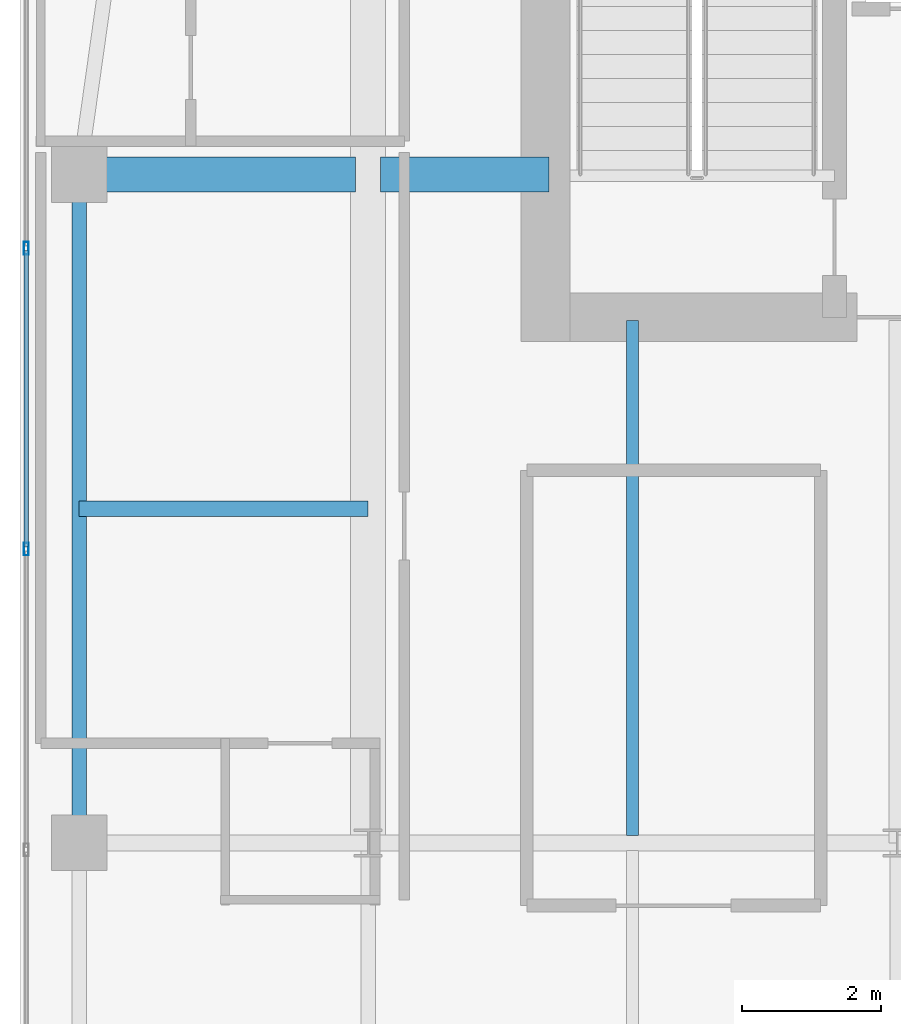
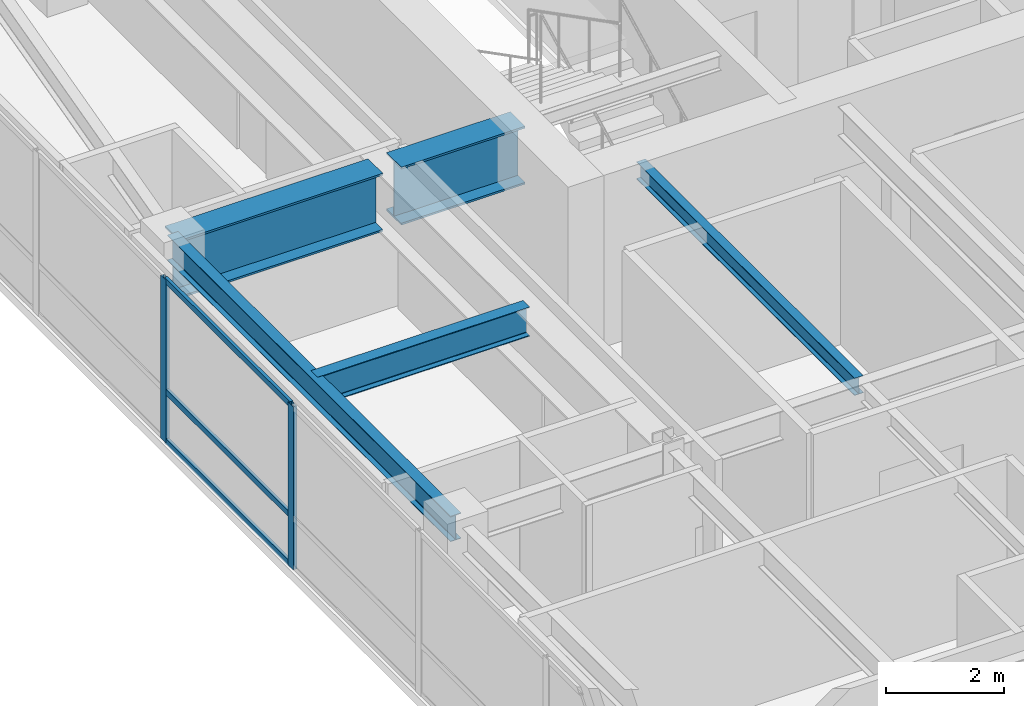
# One storey, part 11 of 24: 5 beams, 5 members, 1 element without a shape of its own.
"""IFC4 building model written with IfcOpenShell, lengths in metres."""

from ifc_helpers import new_model, si_unit, direction, frame, origin, origin_2d, place, context, subcontext, project, spatial, hollow_rectangle, i_section, extrude, source, transform, mapped, material, layer, layer_set, material_profile, profile_set, type_object, type_shapes, element, aggregate, save


model = new_model("IFC4")

# Units and contexts
model_context = context("Model", 3, precision=1e-05, world=origin(), true_north=direction((0.0, 1.0)))
body_context = subcontext(model_context, "Body", "Model", "MODEL_VIEW")
ifc_project = project(units=[si_unit("LENGTHUNIT", "METRE"), si_unit("AREAUNIT", "SQUARE_METRE"), si_unit("VOLUMEUNIT", "CUBIC_METRE"), si_unit("PLANEANGLEUNIT", "RADIAN"), si_unit("MASSUNIT", "GRAM", prefix="KILO")], contexts=[model_context])

# Site, building, storey
site_placement = place(None, origin())
site = spatial("IfcSite", under=ifc_project, at=site_placement, CompositionType="ELEMENT")
building_placement = place(site_placement, origin())
building = spatial("IfcBuilding", under=site, at=building_placement, Name="Tolvann Quenvar Hotel", CompositionType="ELEMENT")
storey_placement = place(building_placement, frame((0.0, 0.0, 157.699951171875)))
storey = spatial("IfcBuildingStorey", under=building, at=storey_placement, Name="L41", CompositionType="ELEMENT", Elevation=157.699951171875)

# Beams
ifc_material_1 = material(Name="Steel Grade 350", Category="steel")
ifc_material_profile_1 = material_profile(ifc_material_1, i_section(OverallWidth=0.208984375, OverallDepth=0.528076171875, WebThickness=0.009521484375, FlangeThickness=0.01318359375, FilletRadius=0.013916015625, at=origin_2d()), Name="530UB82")
ifc_profile_set_1 = profile_set([ifc_material_profile_1], Name="Steel Grade 350")
beam_type_1 = type_object("IfcBeamType", Name="BM_SPAND_530UB82", PredefinedType="SPANDREL", material=ifc_profile_set_1)
shared_shape_1 = source(origin(), body_context, "Body", "SweptSolid", [
    extrude(i_section(OverallWidth=0.208984375, OverallDepth=0.528076171875, WebThickness=0.009521484375, FlangeThickness=0.01318359375, FilletRadius=0.013916015625, at=origin_2d()), origin(), (0.0, 0.0, 1.0), 9.60009765625),
])
type_shapes(beam_type_1, [shared_shape_1])
beam_1_placement = place(storey_placement, frame((3.449951171875, 24.39990234375, 3.10595703125), z_axis=(0.0, 1.0, 0.0), x_axis=(-1.0, 0.0, 0.0)))
element("IfcBeam", 1, at=beam_1_placement, inside=storey, type_object=beam_type_1, Name="BM-L41-FLK-W1", PredefinedType="SPANDREL", context=body_context, shape_type="MappedRepresentation", body=[
    mapped(shared_shape_1, transform((0.0, 0.0, 0.0), x_axis=(1.0, 0.0, 0.0), y_axis=(0.0, 1.0, 0.0), z_axis=(0.0, 0.0, 1.0), scale=1.0)),
])
ifc_material_profile_2 = material_profile(ifc_material_1, i_section(OverallWidth=0.5, OverallDepth=1.199951171875, WebThickness=0.01611328125, FlangeThickness=0.0400390625, at=origin_2d()), Name="1200WB455")
ifc_profile_set_2 = profile_set([ifc_material_profile_2], Name="Steel Grade 350")
beam_type_2 = type_object("IfcBeamType", Name="BM_TG_1200WB455", PredefinedType="USERDEFINED", material=ifc_profile_set_2)
shared_shape_2 = source(origin(), body_context, "Body", "SweptSolid", [
    extrude(i_section(OverallWidth=0.5, OverallDepth=1.199951171875, WebThickness=0.01611328125, FlangeThickness=0.0400390625, at=origin_2d()), origin(), (0.0, 0.0, 1.0), 2.419921875),
])
beam_2_placement = place(storey_placement, frame((7.780029296875, 34.0, 2.77001953125), z_axis=(1.0, 0.0, 0.0), x_axis=(0.0, 1.0, 0.0)))
element("IfcBeam", 2, at=beam_2_placement, inside=storey, type_object=beam_type_2, Name="BM-L41-CTW-MID2", ObjectType="TRANSFER GIRDER", PredefinedType="USERDEFINED", context=body_context, shape_type="MappedRepresentation", body=[
    mapped(shared_shape_2, transform((0.0, 0.0, 0.0), x_axis=(1.0, 0.0, 0.0), y_axis=(0.0, 1.0, 0.0), z_axis=(0.0, 0.0, 1.0), scale=1.0)),
])
shared_shape_3 = source(origin(), body_context, "Body", "SweptSolid", [
    extrude(i_section(OverallWidth=0.5, OverallDepth=1.199951171875, WebThickness=0.01611328125, FlangeThickness=0.0400390625, at=origin_2d()), origin(), (0.0, 0.0, 1.0), 3.969970703125),
])
type_shapes(beam_type_2, [shared_shape_2, shared_shape_3])
beam_3_placement = place(storey_placement, frame((3.449951171875, 34.0, 2.77001953125), z_axis=(1.0, 0.0, 0.0), x_axis=(0.0, 1.0, 0.0)))
element("IfcBeam", 3, at=beam_3_placement, inside=storey, type_object=beam_type_2, Name="BM-L41-CTW-MID1", ObjectType="TRANSFER GIRDER", PredefinedType="USERDEFINED", context=body_context, shape_type="MappedRepresentation", body=[
    mapped(shared_shape_3, transform((0.0, 0.0, 0.0), x_axis=(1.0, 0.0, 0.0), y_axis=(0.0, 1.0, 0.0), z_axis=(0.0, 0.0, 1.0), scale=1.0)),
])
ifc_material_profile_3 = material_profile(ifc_material_1, i_section(OverallWidth=0.22802734375, OverallDepth=0.60205078125, WebThickness=0.010498046875, FlangeThickness=0.014892578125, FilletRadius=0.013916015625, at=origin_2d()), Name="610UB101")
ifc_profile_set_3 = profile_set([ifc_material_profile_3], Name="Steel Grade 350")
beam_type_3 = type_object("IfcBeamType", Name="BM_GIRD_610UB101", PredefinedType="BEAM", material=ifc_profile_set_3)
shared_shape_4 = source(origin(), body_context, "Body", "SweptSolid", [
    extrude(i_section(OverallWidth=0.22802734375, OverallDepth=0.60205078125, WebThickness=0.010498046875, FlangeThickness=0.014892578125, FilletRadius=0.013916015625, at=origin_2d()), origin(), (0.0, 0.0, 1.0), 4.150146484375),
])
type_shapes(beam_type_3, [shared_shape_4])
beam_4_placement = place(storey_placement, frame((3.449951171875, 29.199951171875, 3.069091796875), z_axis=(1.0, 0.0, 0.0), x_axis=(0.0, 1.0, 0.0)))
element("IfcBeam", 4, at=beam_4_placement, inside=storey, type_object=beam_type_3, Name="BM-L41-EW-BC29", PredefinedType="BEAM", context=body_context, shape_type="MappedRepresentation", body=[
    mapped(shared_shape_4, transform((0.0, 0.0, 0.0), x_axis=(1.0, 0.0, 0.0), y_axis=(0.0, 1.0, 0.0), z_axis=(0.0, 0.0, 1.0), scale=1.0)),
])
ifc_material_profile_4 = material_profile(ifc_material_1, i_section(OverallWidth=0.172119140625, OverallDepth=0.35888671875, WebThickness=0.008056640625, FlangeThickness=0.012939453125, FilletRadius=0.011474609375, at=origin_2d()), Name="360UB57")
ifc_profile_set_4 = profile_set([ifc_material_profile_4], Name="Steel Grade 350")
beam_type_4 = type_object("IfcBeamType", Name="BM_JOIST_360UB57", PredefinedType="JOIST", material=ifc_profile_set_4)
shared_shape_5 = source(origin(), body_context, "Body", "SweptSolid", [
    extrude(i_section(OverallWidth=0.172119140625, OverallDepth=0.35888671875, WebThickness=0.008056640625, FlangeThickness=0.012939453125, FilletRadius=0.011474609375, at=origin_2d()), origin(), (0.0, 0.0, 1.0), 7.391845703125),
])
type_shapes(beam_type_4, [shared_shape_5])
beam_5_placement = place(storey_placement, frame((11.39990234375, 24.508056640625, 3.1904296875), z_axis=(0.0, 1.0, 0.0), x_axis=(-1.0, 0.0, 0.0)))
element("IfcBeam", 5, at=beam_5_placement, inside=storey, type_object=beam_type_4, Name="BJ-L41-114-244", PredefinedType="JOIST", context=body_context, shape_type="MappedRepresentation", body=[
    mapped(shared_shape_5, transform((0.0, 0.0, 0.0), x_axis=(1.0, 0.0, 0.0), y_axis=(0.0, 1.0, 0.0), z_axis=(0.0, 0.0, 1.0), scale=1.0)),
])

# Curtain wall, members
ifc_material_2 = material(Name="Thermally broken anodised architectural aluminium 6063-T6 and laminated low-E glass", Category="aluminium")
ifc_layer = layer(ifc_material_2, 0.179931640625)
ifc_layer_set = layer_set([ifc_layer], Name="Thermally broken anodised architectural aluminium 6063-T6 and laminated low-E glass")
curtain_wall_type = type_object("IfcCurtainWallType", Name="CW_SYS_BAND_04", PredefinedType="USERDEFINED", material=ifc_layer_set)
curtain_wall_placement = place(storey_placement, origin())
curtain_wall = element("IfcCurtainWall", 6, at=curtain_wall_placement, inside=storey, type_object=curtain_wall_type, Name="Curtain Wall CW-BAND-04 (CWR-L41-E23)", ObjectType="UNITISED CURTAIN WALL", PredefinedType="USERDEFINED")
ifc_material_3 = material(Name="Anodised architectural aluminium 6063-T6 framing", Category="aluminium")
ifc_material_profile_5 = material_profile(ifc_material_3, hollow_rectangle(XDim=0.070068359375, YDim=0.179931640625, WallThickness=0.00390625, at=origin_2d()), Name="180x70x4RHS")
ifc_profile_set_5 = profile_set([ifc_material_profile_5], Name="Anodised architectural aluminium 6063-T6 framing")
member_type_1 = type_object("IfcMemberType", Name="CW_MULL_180x70", PredefinedType="MULLION", material=ifc_profile_set_5)
shared_shape_6 = source(origin(), body_context, "Body", "SweptSolid", [
    extrude(hollow_rectangle(XDim=0.070068359375, YDim=0.179931640625, WallThickness=0.00390625, at=origin_2d()), origin(), (0.0, 0.0, 1.0), 3.3701171875),
])
type_shapes(member_type_1, [shared_shape_6])
member_1_placement = place(storey_placement, frame((2.68994140625, 32.94140625, 0.0), z_axis=(0.0, 0.0, 1.0), x_axis=(1.0, 0.0, 0.0)))
member_1 = element("IfcMember", 7, at=member_1_placement, type_object=member_type_1, Name="CW-BAND-04 mullion 3", PredefinedType="MULLION", context=body_context, shape_type="MappedRepresentation", body=[
    mapped(shared_shape_6, transform((0.0, 0.0, 0.0), x_axis=(1.0, 0.0, 0.0), y_axis=(0.0, 1.0, 0.0), z_axis=(0.0, 0.0, 1.0), scale=1.0)),
])
member_2_placement = place(storey_placement, frame((2.68994140625, 28.62060546875, 0.0), z_axis=(0.0, 0.0, 1.0), x_axis=(1.0, 0.0, 0.0)))
member_2 = element("IfcMember", 8, at=member_2_placement, type_object=member_type_1, Name="CW-BAND-04 mullion 4", PredefinedType="MULLION", context=body_context, shape_type="MappedRepresentation", body=[
    mapped(shared_shape_6, transform((0.0, 0.0, 0.0), x_axis=(1.0, 0.0, 0.0), y_axis=(0.0, 1.0, 0.0), z_axis=(0.0, 0.0, 1.0), scale=1.0)),
])
ifc_material_profile_6 = material_profile(ifc_material_3, hollow_rectangle(XDim=0.06005859375, YDim=0.1201171875, WallThickness=0.00341796875, at=origin_2d()), Name="120x60x3.5RHS")
ifc_profile_set_6 = profile_set([ifc_material_profile_6], Name="Anodised architectural aluminium 6063-T6 framing")
member_type_2 = type_object("IfcMemberType", Name="CW_TRAN_120x60", PredefinedType="USERDEFINED", material=ifc_profile_set_6)
shared_shape_7 = source(origin(), body_context, "Body", "SweptSolid", [
    extrude(hollow_rectangle(XDim=0.06005859375, YDim=0.1201171875, WallThickness=0.00341796875, at=origin_2d()), origin(), (0.0, 0.0, 1.0), 4.250732421875),
])
type_shapes(member_type_2, [shared_shape_7])
member_3_placement = place(storey_placement, frame((2.68994140625, 32.906494140625, 0.030029296875), z_axis=(0.0, -1.0, 0.0), x_axis=(1.0, 0.0, 0.0)))
member_3 = element("IfcMember", 9, at=member_3_placement, type_object=member_type_2, Name="CW-BAND-04 transom 3.1", ObjectType="TRANSOM", PredefinedType="USERDEFINED", context=body_context, shape_type="MappedRepresentation", body=[
    mapped(shared_shape_7, transform((0.0, 0.0, 0.0), x_axis=(1.0, 0.0, 0.0), y_axis=(0.0, 1.0, 0.0), z_axis=(0.0, 0.0, 1.0), scale=1.0)),
])
member_4_placement = place(storey_placement, frame((2.68994140625, 32.906494140625, 1.050048828125), z_axis=(0.0, -1.0, 0.0), x_axis=(1.0, 0.0, 0.0)))
member_4 = element("IfcMember", 10, at=member_4_placement, type_object=member_type_2, Name="CW-BAND-04 transom 3.2", ObjectType="TRANSOM", PredefinedType="USERDEFINED", context=body_context, shape_type="MappedRepresentation", body=[
    mapped(shared_shape_7, transform((0.0, 0.0, 0.0), x_axis=(1.0, 0.0, 0.0), y_axis=(0.0, 1.0, 0.0), z_axis=(0.0, 0.0, 1.0), scale=1.0)),
])
member_5_placement = place(storey_placement, frame((2.68994140625, 32.906494140625, 3.340087890625), z_axis=(0.0, -1.0, 0.0), x_axis=(1.0, 0.0, 0.0)))
member_5 = element("IfcMember", 11, at=member_5_placement, type_object=member_type_2, Name="CW-BAND-04 transom 3.3", ObjectType="TRANSOM", PredefinedType="USERDEFINED", context=body_context, shape_type="MappedRepresentation", body=[
    mapped(shared_shape_7, transform((0.0, 0.0, 0.0), x_axis=(1.0, 0.0, 0.0), y_axis=(0.0, 1.0, 0.0), z_axis=(0.0, 0.0, 1.0), scale=1.0)),
])
aggregate(curtain_wall, [member_1, member_2, member_3, member_4, member_5])

save(model, "model.ifc")
